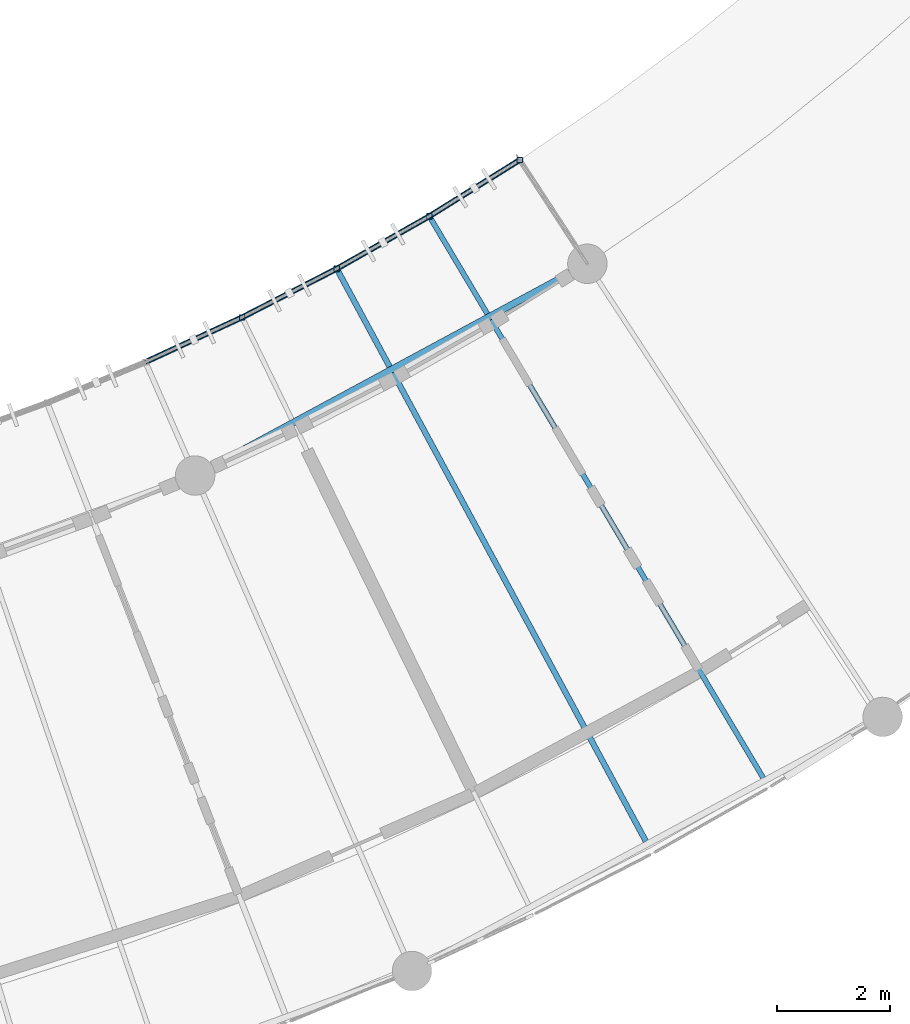
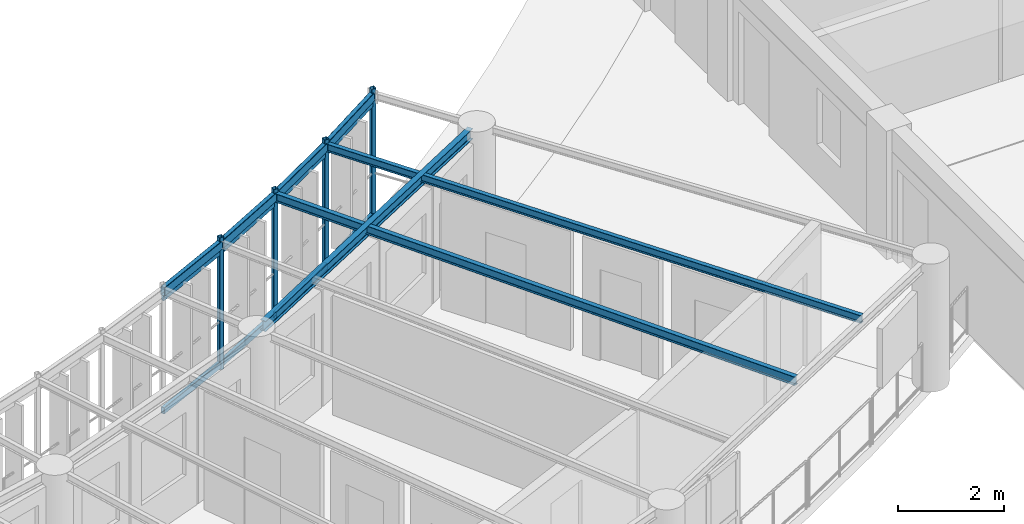
# One storey, part 20 of 123: 12 members, 7 beams.
"""IFC4 building model written with IfcOpenShell, lengths in metres."""

from ifc_helpers import new_model, si_unit, direction, frame, origin, origin_2d, place, context, subcontext, project, spatial, hollow_rectangle, i_section, extrude, material, material_profile, profile_set, type_object, element, save


model = new_model("IFC4")

# Units and contexts
model_context = context("Model", 3, precision=1e-05, world=origin(), true_north=direction((0.0, 1.0)))
body_context = subcontext(model_context, "Body", "Model", "MODEL_VIEW")
ifc_project = project(units=[si_unit("LENGTHUNIT", "METRE"), si_unit("AREAUNIT", "SQUARE_METRE"), si_unit("VOLUMEUNIT", "CUBIC_METRE"), si_unit("PLANEANGLEUNIT", "RADIAN"), si_unit("MASSUNIT", "GRAM", prefix="KILO"), si_unit("POWERUNIT", "WATT"), si_unit("THERMODYNAMICTEMPERATUREUNIT", "KELVIN")], contexts=[model_context])

# Site, building, storey
site_placement = place(None, origin())
site = spatial("IfcSite", under=ifc_project, at=site_placement, CompositionType="ELEMENT")
building_placement = place(site_placement, origin())
building = spatial("IfcBuilding", under=site, at=building_placement, Name="Ruvembo Vaulted Housing Court", CompositionType="ELEMENT")
storey_placement = place(building_placement, frame((0.0, 0.0, 7.699951171875)))
storey = spatial("IfcBuildingStorey", under=building, at=storey_placement, Name="L02", CompositionType="ELEMENT", Elevation=7.699951171875)

# Beams
ifc_material = material(Name="Steel S355J2", Category="steel")
ifc_material_profile_1 = material_profile(ifc_material, i_section(OverallWidth=0.091064453125, OverallDepth=0.179931640625, WebThickness=0.00537109375, FlangeThickness=0.008056640625, FilletRadius=0.009033203125, at=origin_2d()), Name="IPE 180")
ifc_profile_set_1 = profile_set([ifc_material_profile_1], Name="Steel S355J2")
beam_type_1 = type_object("IfcBeamType", Name="BM-ST-IPE180", PredefinedType="JOIST", material=ifc_profile_set_1)
beam_1_placement = place(storey_placement, frame((98.330078125, 12.656005859375, 2.85009765625), z_axis=(-0.510954382563, 0.859607828571, 0.0), x_axis=(-0.859607828571, -0.510954382563, 0.0)))
element("IfcBeam", 1, at=beam_1_placement, inside=storey, type_object=beam_type_1, Name="Scoop SC2 L02 Radial Steel Joist 27", PredefinedType="JOIST", context=body_context, shape_type="SweptSolid", body=[
    extrude(i_section(OverallWidth=0.091064453125, OverallDepth=0.179931640625, WebThickness=0.00537109375, FlangeThickness=0.008056640625, FilletRadius=0.009033203125, at=origin_2d()), origin(), (0.0, 0.0, 1.0), 11.642822265625),
])
ifc_material_profile_2 = material_profile(ifc_material, i_section(OverallWidth=0.10009765625, OverallDepth=0.199951171875, WebThickness=0.005615234375, FlangeThickness=0.008544921875, FilletRadius=0.011962890625, at=origin_2d()), Name="IPE 200")
ifc_profile_set_2 = profile_set([ifc_material_profile_2], Name="Steel S355J2")
beam_type_2 = type_object("IfcBeamType", Name="BM-ST-IPE200", PredefinedType="BEAM", material=ifc_profile_set_2)
beam_2_placement = place(storey_placement, frame((96.2470703125, 11.53125, 2.840087890625), z_axis=(-0.475075222071, 0.87994518771, 0.0), x_axis=(-0.87994518771, -0.475075222071, 0.0)))
element("IfcBeam", 2, at=beam_2_placement, inside=storey, type_object=beam_type_2, Name="Scoop SC2 L02 Radial Steel Joist 26", PredefinedType="BEAM", context=body_context, shape_type="SweptSolid", body=[
    extrude(i_section(OverallWidth=0.10009765625, OverallDepth=0.199951171875, WebThickness=0.005615234375, FlangeThickness=0.008544921875, FilletRadius=0.011962890625, at=origin_2d()), origin(), (0.0, 0.0, 1.0), 11.593994140625),
])
ifc_material_profile_3 = material_profile(ifc_material, i_section(OverallWidth=0.1201171875, OverallDepth=0.239990234375, WebThickness=0.006103515625, FlangeThickness=0.009765625, FilletRadius=0.014892578125, at=origin_2d()), Name="IPE 240")
ifc_profile_set_3 = profile_set([ifc_material_profile_3], Name="Steel S355J2")
beam_type_3 = type_object("IfcBeamType", Name="BM-ST-IPE240", PredefinedType="BEAM", material=ifc_profile_set_3)
beam_3_placement = place(storey_placement, frame((88.447021484375, 18.135986328125, 2.822021484375), z_axis=(0.879950870287, 0.475064696521, 0.0), x_axis=(-0.475064696521, 0.879950870287, 0.0)))
element("IfcBeam", 3, at=beam_3_placement, inside=storey, type_object=beam_type_3, Name="Scoop SC2 L02 Chord Girder F24", PredefinedType="BEAM", context=body_context, shape_type="SweptSolid", body=[
    extrude(i_section(OverallWidth=0.1201171875, OverallDepth=0.239990234375, WebThickness=0.006103515625, FlangeThickness=0.009765625, FilletRadius=0.014892578125, at=origin_2d()), origin(), (0.0, 0.0, 1.0), 7.45166015625),
])
ifc_material_profile_4 = material_profile(ifc_material, hollow_rectangle(XDim=0.10009765625, YDim=0.199951171875, WallThickness=0.008056640625, InnerFilletRadius=0.008056640625, OuterFilletRadius=0.01611328125, at=origin_2d()), Name="RHS 200x100x8")
ifc_profile_set_4 = profile_set([ifc_material_profile_4], Name="Steel S355J2")
beam_type_4 = type_object("IfcBeamType", Name="BM-ST-RHS200", PredefinedType="SPANDREL", material=ifc_profile_set_4)
for number, where, z_axis, x_axis, name in (
    (4, (87.362548828125, 20.042236328125, 2.840087890625), (0.907656578832, 0.419713634403, 0.0), (-0.419713634403, 0.907656578832, 0.0), "Scoop SC2 L02 Balcony Edge Spandrel 24"),
    (5, (89.077392578125, 20.835205078125, 2.840087890625), (0.889568437347, 0.45680192127, 0.0), (-0.45680192127, 0.889568437347, 0.0), "Scoop SC2 L02 Balcony Edge Spandrel 25"),
):
    element("IfcBeam", number, at=place(storey_placement, frame(where, z_axis=z_axis, x_axis=x_axis)), inside=storey, type_object=beam_type_4, Name=name, PredefinedType="SPANDREL", context=body_context, shape_type="SweptSolid", body=[
        extrude(hollow_rectangle(XDim=0.10009765625, YDim=0.199951171875, WallThickness=0.008056640625, InnerFilletRadius=0.008056640625, OuterFilletRadius=0.01611328125, at=origin_2d()), origin(), (0.0, 0.0, 1.0), 1.889404296875),
    ])
for number, where, z_axis, x_axis, name in (
    (6, (90.758056640625, 21.6982421875, 2.840087890625), (0.869955662473, 0.493129947712, 0.0), (-0.493129947712, 0.869955662473, 0.0), "Scoop SC2 L02 Balcony Edge Spandrel 26"),
    (7, (92.401611328125, 22.6298828125, 2.840087890625), (0.848904567119, 0.52854615307, 0.0), (-0.52854615307, 0.848904567119, 0.0), "Scoop SC2 L02 Balcony Edge Spandrel 27"),
):
    element("IfcBeam", number, at=place(storey_placement, frame(where, z_axis=z_axis, x_axis=x_axis)), inside=storey, type_object=beam_type_4, Name=name, PredefinedType="SPANDREL", context=body_context, shape_type="SweptSolid", body=[
        extrude(hollow_rectangle(XDim=0.10009765625, YDim=0.199951171875, WallThickness=0.008056640625, InnerFilletRadius=0.008056640625, OuterFilletRadius=0.01611328125, at=origin_2d()), origin(), (0.0, 0.0, 1.0), 1.88916015625),
    ])

# Members
ifc_material_profile_5 = material_profile(ifc_material, hollow_rectangle(XDim=0.06005859375, YDim=0.1201171875, WallThickness=0.0048828125, InnerFilletRadius=0.0048828125, OuterFilletRadius=0.010009765625, at=origin_2d()), Name="RHS 120x60x5")
ifc_profile_set_5 = profile_set([ifc_material_profile_5], Name="Steel S355J2")
member_type_1 = type_object("IfcMemberType", Name="MEM-CAR-RHS120", PredefinedType="CHORD", material=ifc_profile_set_5)
for number, where, z_axis, x_axis, name in (
    (8, (87.362548828125, 20.042236328125, 2.68310546875), (0.907656578832, 0.419713634403, 0.0), (-0.419713634403, 0.907656578832, 0.0), "Scoop SC2 L02 Upper Louvre Carrier Rail 24"),
    (9, (89.077392578125, 20.835205078125, 2.68310546875), (0.889568437347, 0.45680192127, 0.0), (-0.45680192127, 0.889568437347, 0.0), "Scoop SC2 L02 Upper Louvre Carrier Rail 25"),
):
    element("IfcMember", number, at=place(storey_placement, frame(where, z_axis=z_axis, x_axis=x_axis)), inside=storey, type_object=member_type_1, Name=name, PredefinedType="CHORD", context=body_context, shape_type="SweptSolid", body=[
        extrude(hollow_rectangle(XDim=0.06005859375, YDim=0.1201171875, WallThickness=0.0048828125, InnerFilletRadius=0.0048828125, OuterFilletRadius=0.010009765625, at=origin_2d()), origin(), (0.0, 0.0, 1.0), 1.889404296875),
    ])
for number, where, z_axis, x_axis, name in (
    (10, (90.758056640625, 21.6982421875, 2.68310546875), (0.869955662473, 0.493129947712, 0.0), (-0.493129947712, 0.869955662473, 0.0), "Scoop SC2 L02 Upper Louvre Carrier Rail 26"),
    (11, (92.401611328125, 22.6298828125, 2.68310546875), (0.848904567119, 0.52854615307, 0.0), (-0.52854615307, 0.848904567119, 0.0), "Scoop SC2 L02 Upper Louvre Carrier Rail 27"),
):
    element("IfcMember", number, at=place(storey_placement, frame(where, z_axis=z_axis, x_axis=x_axis)), inside=storey, type_object=member_type_1, Name=name, PredefinedType="CHORD", context=body_context, shape_type="SweptSolid", body=[
        extrude(hollow_rectangle(XDim=0.06005859375, YDim=0.1201171875, WallThickness=0.0048828125, InnerFilletRadius=0.0048828125, OuterFilletRadius=0.010009765625, at=origin_2d()), origin(), (0.0, 0.0, 1.0), 1.88916015625),
    ])
ifc_material_profile_6 = material_profile(ifc_material, hollow_rectangle(XDim=0.080078125, YDim=0.14990234375, WallThickness=0.00634765625, InnerFilletRadius=0.00634765625, OuterFilletRadius=0.0126953125, at=origin_2d()), Name="RHS 150x80x6.3")
ifc_profile_set_6 = profile_set([ifc_material_profile_6], Name="Steel S355J2")
member_type_2 = type_object("IfcMemberType", Name="MEM-CAR-RHS150", PredefinedType="CHORD", material=ifc_profile_set_6)
for number, where, z_axis, x_axis, name in (
    (12, (87.362548828125, 20.042236328125, 0.094970703125), (0.907656578832, 0.419713634403, 0.0), (-0.419713634403, 0.907656578832, 0.0), "Scoop SC2 L02 Lower Louvre Carrier Rail 24"),
    (13, (89.077392578125, 20.835205078125, 0.094970703125), (0.889568437347, 0.45680192127, 0.0), (-0.45680192127, 0.889568437347, 0.0), "Scoop SC2 L02 Lower Louvre Carrier Rail 25"),
):
    element("IfcMember", number, at=place(storey_placement, frame(where, z_axis=z_axis, x_axis=x_axis)), inside=storey, type_object=member_type_2, Name=name, PredefinedType="CHORD", context=body_context, shape_type="SweptSolid", body=[
        extrude(hollow_rectangle(XDim=0.080078125, YDim=0.14990234375, WallThickness=0.00634765625, InnerFilletRadius=0.00634765625, OuterFilletRadius=0.0126953125, at=origin_2d()), origin(), (0.0, 0.0, 1.0), 1.889404296875),
    ])
for number, where, z_axis, x_axis, name in (
    (14, (90.758056640625, 21.6982421875, 0.094970703125), (0.869955662473, 0.493129947712, 0.0), (-0.493129947712, 0.869955662473, 0.0), "Scoop SC2 L02 Lower Louvre Carrier Rail 26"),
    (15, (92.401611328125, 22.6298828125, 0.094970703125), (0.848904567119, 0.52854615307, 0.0), (-0.52854615307, 0.848904567119, 0.0), "Scoop SC2 L02 Lower Louvre Carrier Rail 27"),
):
    element("IfcMember", number, at=place(storey_placement, frame(where, z_axis=z_axis, x_axis=x_axis)), inside=storey, type_object=member_type_2, Name=name, PredefinedType="CHORD", context=body_context, shape_type="SweptSolid", body=[
        extrude(hollow_rectangle(XDim=0.080078125, YDim=0.14990234375, WallThickness=0.00634765625, InnerFilletRadius=0.00634765625, OuterFilletRadius=0.0126953125, at=origin_2d()), origin(), (0.0, 0.0, 1.0), 1.88916015625),
    ])
ifc_material_profile_7 = material_profile(ifc_material, hollow_rectangle(XDim=0.10009765625, YDim=0.10009765625, WallThickness=0.00634765625, InnerFilletRadius=0.00634765625, OuterFilletRadius=0.0126953125, at=origin_2d()), Name="SHS 100x100x6.3")
ifc_profile_set_7 = profile_set([ifc_material_profile_7], Name="Steel S355J2")
member_type_3 = type_object("IfcMemberType", Name="MEM-FRM-SHS100", PredefinedType="STRUT", material=ifc_profile_set_7)
for number, where, z_axis, x_axis, name in (
    (16, (89.077392578125, 20.835205078125, -0.014892578125), (0.0, 0.0, 1.0), (1.0, 0.0, 0.0), "Scoop SC2 L02 Louvre Frame Post 25"),
    (17, (90.758056640625, 21.6982421875, -0.014892578125), (0.0, 0.0, 1.0), (1.0, 0.0, 0.0), "Scoop SC2 L02 Louvre Frame Post 26"),
    (18, (92.401611328125, 22.6298828125, -0.014892578125), (0.0, 0.0, 1.0), (1.0, 0.0, 0.0), "Scoop SC2 L02 Louvre Frame Post 27"),
    (19, (94.00537109375, 23.62841796875, -0.014892578125), (0.0, 0.0, 1.0), (1.0, 0.0, 0.0), "Scoop SC2 L02 Louvre End Post"),
):
    element("IfcMember", number, at=place(storey_placement, frame(where, z_axis=z_axis, x_axis=x_axis)), inside=storey, type_object=member_type_3, Name=name, PredefinedType="STRUT", context=body_context, shape_type="SweptSolid", body=[
        extrude(hollow_rectangle(XDim=0.10009765625, YDim=0.10009765625, WallThickness=0.00634765625, InnerFilletRadius=0.00634765625, OuterFilletRadius=0.0126953125, at=origin_2d()), origin(), (0.0, 0.0, 1.0), 3.041015625),
    ])

save(model, "model.ifc")
